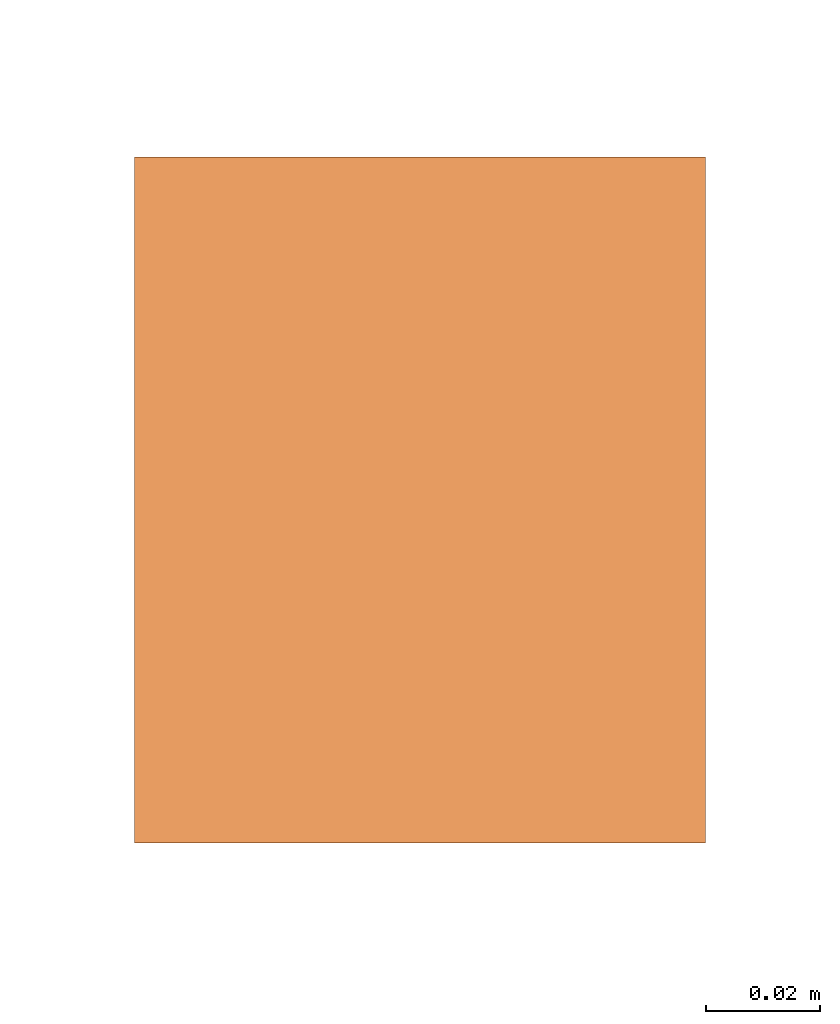
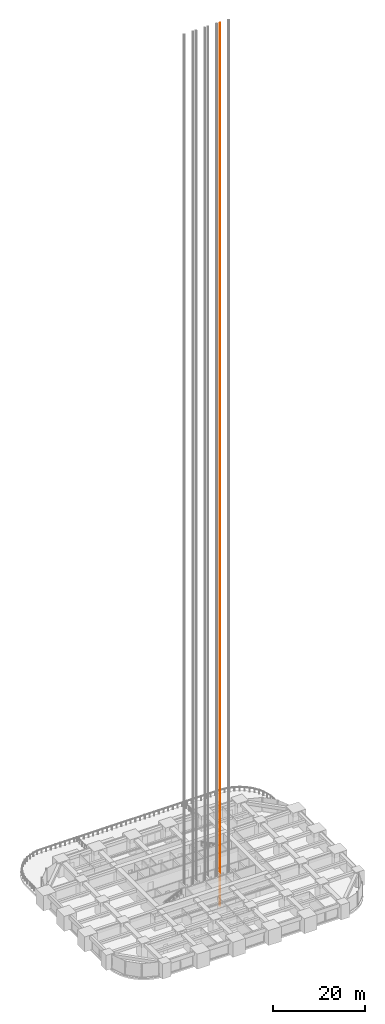
# One storey, part 49 of 50: 1 proxy.
"""IFC4 building model written with IfcOpenShell, lengths in metres."""

from ifc_helpers import new_model, si_unit, direction, frame, origin, origin_2d, place, context, subcontext, project, spatial, rectangle, extrude, element, save


model = new_model("IFC4")

# Units and contexts
model_context = context("Model", 3, precision=1e-05, world=origin(), true_north=direction((0.0, 1.0)))
body_context = subcontext(model_context, "Body", "Model", "MODEL_VIEW")
ifc_project = project(units=[si_unit("LENGTHUNIT", "METRE"), si_unit("AREAUNIT", "SQUARE_METRE"), si_unit("VOLUMEUNIT", "CUBIC_METRE"), si_unit("PLANEANGLEUNIT", "RADIAN"), si_unit("MASSUNIT", "GRAM", prefix="KILO")], contexts=[model_context])

# Site, building, storey
site_placement = place(None, origin())
site = spatial("IfcSite", under=ifc_project, at=site_placement, CompositionType="ELEMENT")
building_placement = place(site_placement, origin())
building = spatial("IfcBuilding", under=site, at=building_placement, Name="Zorevar Civic Tower", CompositionType="ELEMENT")
storey_placement = place(building_placement, frame((0.0, 0.0, 85.0)))
storey = spatial("IfcBuildingStorey", under=building, at=storey_placement, Name="L20", CompositionType="ELEMENT", Elevation=85.0)

# Proxy
proxy_placement = place(storey_placement, frame((36.39990234375, 23.10009765625, -5.0), z_axis=(0.0, 0.0, 1.0), x_axis=(1.0, 0.0, 0.0)))
element("IfcBuildingElementProxy", 1, at=proxy_placement, inside=storey, Name="Passenger lift LT4 guide rail 1", PredefinedType="NOTDEFINED", context=body_context, shape_type="SweptSolid", body=[
    extrude(rectangle(XDim=0.10009765625, YDim=0.1201171875, at=origin_2d()), origin(), (0.0, 0.0, 1.0), 235.300048828125),
])

save(model, "model.ifc")
